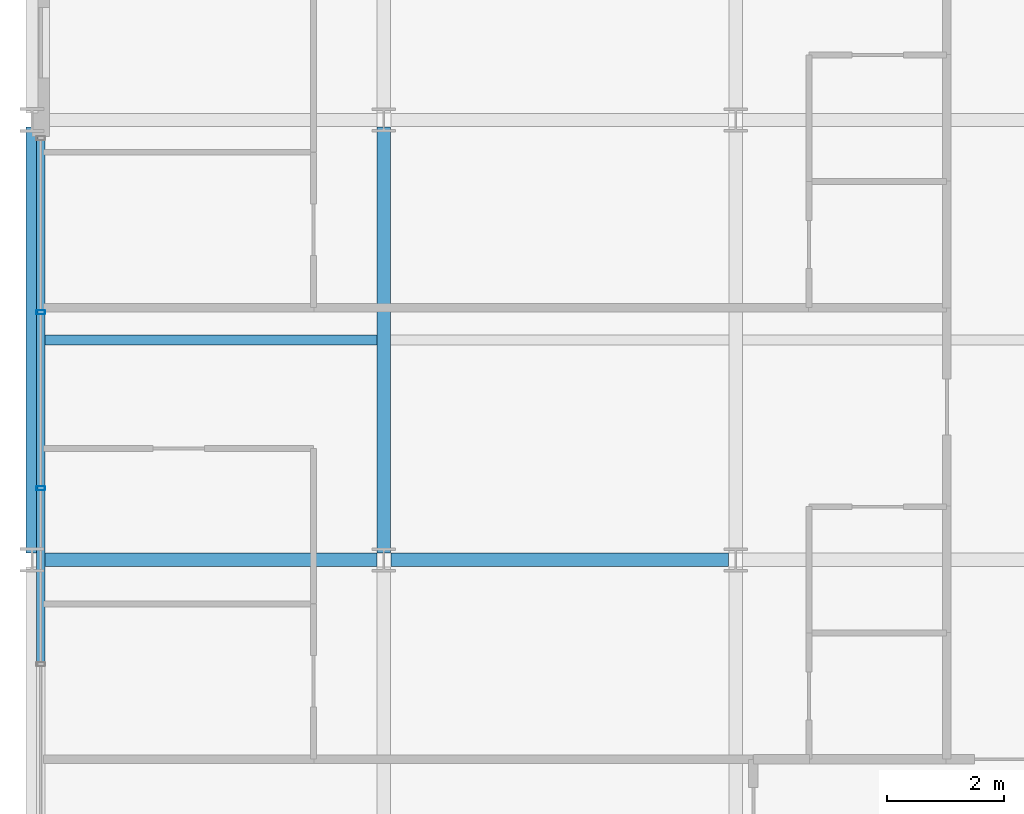
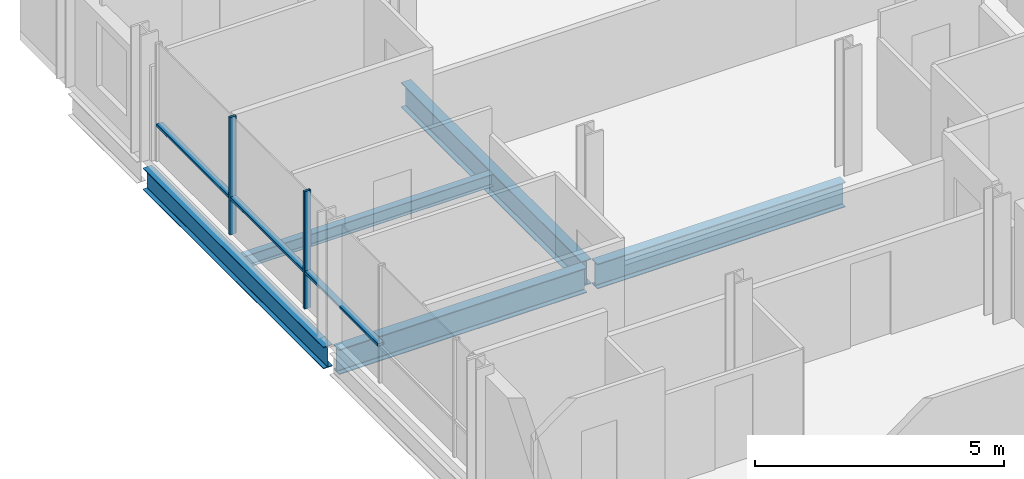
# One storey, part 7 of 41: 5 beams, 5 members, 1 element without a shape of its own.
"""IFC4 building model written with IfcOpenShell, lengths in metres."""

from ifc_helpers import new_model, si_unit, direction, frame, origin, origin_2d, place, context, subcontext, project, spatial, hollow_rectangle, i_section, extrude, material, layer, layer_set, material_profile, profile_set, type_object, element, aggregate, save


model = new_model("IFC4")

# Units and contexts
model_context = context("Model", 3, precision=1e-05, world=origin(), true_north=direction((0.0, 1.0)))
body_context = subcontext(model_context, "Body", "Model", "MODEL_VIEW")
ifc_project = project(units=[si_unit("LENGTHUNIT", "METRE"), si_unit("AREAUNIT", "SQUARE_METRE"), si_unit("VOLUMEUNIT", "CUBIC_METRE"), si_unit("PLANEANGLEUNIT", "RADIAN"), si_unit("MASSUNIT", "GRAM", prefix="KILO")], contexts=[model_context])

# Site, building, storey
site_placement = place(None, origin())
site = spatial("IfcSite", under=ifc_project, at=site_placement, CompositionType="ELEMENT")
building_placement = place(site_placement, origin())
building = spatial("IfcBuilding", under=site, at=building_placement, Name="Brevholm Reach", CompositionType="ELEMENT")
storey_placement = place(building_placement, frame((0.0, 0.0, 144.89990234375)))
storey = spatial("IfcBuildingStorey", under=building, at=storey_placement, Name="L43", CompositionType="ELEMENT", Elevation=144.89990234375)

# Beams
ifc_material_1 = material(Name="Structural Steel S355J2", Category="steel")
ifc_material_profile_1 = material_profile(ifc_material_1, i_section(OverallWidth=0.1650390625, OverallDepth=0.303466796875, WebThickness=0.006103515625, FlangeThickness=0.01025390625, FilletRadius=0.0087890625, at=origin_2d()), Name="UKB 305x165x40")
ifc_profile_set_1 = profile_set([ifc_material_profile_1], Name="Structural Steel S355J2")
beam_type_1 = type_object("IfcBeamType", Name="BM-B305", PredefinedType="BEAM", material=ifc_profile_set_1)
beam_1_placement = place(storey_placement, frame((0.104736328125, 19.75, -0.37158203125), z_axis=(1.0, 0.0, 0.0), x_axis=(0.0, 1.0, 0.0)))
element("IfcBeam", 1, at=beam_1_placement, inside=storey, type_object=beam_type_1, Name="L43 Composite Secondary Floor Beam", PredefinedType="BEAM", context=body_context, shape_type="SweptSolid", body=[
    extrude(i_section(OverallWidth=0.1650390625, OverallDepth=0.303466796875, WebThickness=0.006103515625, FlangeThickness=0.01025390625, FilletRadius=0.0087890625, at=origin_2d()), origin(), (0.0, 0.0, 1.0), 5.78076171875),
])
ifc_material_2 = material(Name="Structural Steel S355J2", Category="steel")
ifc_material_profile_2 = material_profile(ifc_material_2, i_section(OverallWidth=0.209228515625, OverallDepth=0.533203125, WebThickness=0.010009765625, FlangeThickness=0.015625, FilletRadius=0.0126953125, at=origin_2d()), Name="UKB 533x210x92")
ifc_profile_set_2 = profile_set([ifc_material_profile_2], Name="Structural Steel S355J2")
beam_type_2 = type_object("IfcBeamType", Name="BM-SP533", PredefinedType="SPANDREL", material=ifc_profile_set_2)
beam_2_placement = place(storey_placement, frame((0.0, 16.1201171875, -0.486572265625), z_axis=(0.0, 1.0, 0.0), x_axis=(-1.0, 0.0, 0.0)))
element("IfcBeam", 2, at=beam_2_placement, inside=storey, type_object=beam_type_2, Name="L43 SP-02 Framing Beam", PredefinedType="SPANDREL", context=body_context, shape_type="SweptSolid", body=[
    extrude(i_section(OverallWidth=0.209228515625, OverallDepth=0.533203125, WebThickness=0.010009765625, FlangeThickness=0.015625, FilletRadius=0.0126953125, at=origin_2d()), origin(), (0.0, 0.0, 1.0), 7.259765625),
])
ifc_material_3 = material(Name="Structural Steel S355J2", Category="steel")
ifc_material_profile_3 = material_profile(ifc_material_3, i_section(OverallWidth=0.22900390625, OverallDepth=0.6123046875, WebThickness=0.011962890625, FlangeThickness=0.01953125, FilletRadius=0.0126953125, at=origin_2d()), Name="UKB 610x229x125")
ifc_profile_set_3 = profile_set([ifc_material_profile_3], Name="Structural Steel S355J2")
beam_type_3 = type_object("IfcBeamType", Name="BM-SP610", PredefinedType="SPANDREL", material=ifc_profile_set_3)
for number, where, z_axis, x_axis, name in (
    (3, (0.1201171875, 16.0, -0.526123046875), (1.0, 0.0, 0.0), (0.0, 1.0, 0.0), "L43 SP-01 Framing Beam"),
    (4, (6.1201171875, 16.0, -0.526123046875), (1.0, 0.0, 0.0), (0.0, 1.0, 0.0), "L43 SP-01 Framing Beam"),
):
    element("IfcBeam", number, at=place(storey_placement, frame(where, z_axis=z_axis, x_axis=x_axis)), inside=storey, type_object=beam_type_3, Name=name, PredefinedType="SPANDREL", context=body_context, shape_type="SweptSolid", body=[
        extrude(i_section(OverallWidth=0.22900390625, OverallDepth=0.6123046875, WebThickness=0.011962890625, FlangeThickness=0.01953125, FilletRadius=0.0126953125, at=origin_2d()), origin(), (0.0, 0.0, 1.0), 5.759765625),
    ])
beam_3_placement = place(storey_placement, frame((6.0, 16.1201171875, -0.526123046875), z_axis=(0.0, 1.0, 0.0), x_axis=(-1.0, 0.0, 0.0)))
element("IfcBeam", 5, at=beam_3_placement, inside=storey, type_object=beam_type_3, Name="L43 SP-01 Framing Beam", PredefinedType="SPANDREL", context=body_context, shape_type="SweptSolid", body=[
    extrude(i_section(OverallWidth=0.22900390625, OverallDepth=0.6123046875, WebThickness=0.011962890625, FlangeThickness=0.01953125, FilletRadius=0.0126953125, at=origin_2d()), origin(), (0.0, 0.0, 1.0), 7.259765625),
])

# Curtain wall, members
ifc_material_4 = material(Name="Dark Anodised Aluminium 6063-T6 and Solar-Control Glass", Category="aluminium")
ifc_layer = layer(ifc_material_4, 0.14990234375)
ifc_layer_set = layer_set([ifc_layer], Name="Dark Anodised Aluminium 6063-T6 and Solar-Control Glass")
curtain_wall_type = type_object("IfcCurtainWallType", Name="CW-01", PredefinedType="NOTDEFINED", material=ifc_layer_set)
curtain_wall_placement = place(storey_placement, origin())
curtain_wall = element("IfcCurtainWall", 6, at=curtain_wall_placement, inside=storey, type_object=curtain_wall_type, Name="L43 Curtain Wall CW-01", PredefinedType="NOTDEFINED")
ifc_material_5 = material(Name="Dark Anodised Aluminium 6063-T6", Category="aluminium")
ifc_material_profile_4 = material_profile(ifc_material_5, hollow_rectangle(XDim=0.06494140625, YDim=0.14990234375, WallThickness=0.0048828125, InnerFilletRadius=0.0048828125, OuterFilletRadius=0.010009765625, at=origin_2d()), Name="RHS 150x65x5")
ifc_profile_set_4 = profile_set([ifc_material_profile_4], Name="Dark Anodised Aluminium 6063-T6")
member_type_1 = type_object("IfcMemberType", Name="CWM-150", PredefinedType="MULLION", material=ifc_profile_set_4)
member_1_placement = place(storey_placement, frame((0.14990234375, 20.219970703125, 0.0), z_axis=(0.0, 0.0, 1.0), x_axis=(0.0, -1.0, 0.0)))
member_1 = element("IfcMember", 7, at=member_1_placement, type_object=member_type_1, Name="CM-150 Mullion 2", PredefinedType="MULLION", context=body_context, shape_type="SweptSolid", body=[
    extrude(hollow_rectangle(XDim=0.06494140625, YDim=0.14990234375, WallThickness=0.0048828125, InnerFilletRadius=0.0048828125, OuterFilletRadius=0.010009765625, at=origin_2d()), origin(), (0.0, 0.0, 1.0), 2.880126953125),
])
member_2_placement = place(storey_placement, frame((0.14990234375, 17.219970703125, 0.0), z_axis=(0.0, 0.0, 1.0), x_axis=(0.0, -1.0, 0.0)))
member_2 = element("IfcMember", 8, at=member_2_placement, type_object=member_type_1, Name="CM-150 Mullion 3", PredefinedType="MULLION", context=body_context, shape_type="SweptSolid", body=[
    extrude(hollow_rectangle(XDim=0.06494140625, YDim=0.14990234375, WallThickness=0.0048828125, InnerFilletRadius=0.0048828125, OuterFilletRadius=0.010009765625, at=origin_2d()), origin(), (0.0, 0.0, 1.0), 2.880126953125),
])
ifc_material_6 = material(Name="Dark Anodised Aluminium 6063-T6", Category="aluminium")
ifc_material_profile_5 = material_profile(ifc_material_6, hollow_rectangle(XDim=0.06494140625, YDim=0.14990234375, WallThickness=0.0048828125, InnerFilletRadius=0.0048828125, OuterFilletRadius=0.010009765625, at=origin_2d()), Name="RHS 150x65x5")
ifc_profile_set_5 = profile_set([ifc_material_profile_5], Name="Dark Anodised Aluminium 6063-T6")
member_type_2 = type_object("IfcMemberType", Name="CWT-150", PredefinedType="NOTDEFINED", material=ifc_profile_set_5)
member_3_placement = place(storey_placement, frame((0.14990234375, 23.155029296875, 0.900146484375), z_axis=(0.0, -1.0, 0.0), x_axis=(0.0, 0.0, 1.0)))
member_3 = element("IfcMember", 9, at=member_3_placement, type_object=member_type_2, Name="CT-150 Transom 1.1", ObjectType="TRANSOM", PredefinedType="USERDEFINED", context=body_context, shape_type="SweptSolid", body=[
    extrude(hollow_rectangle(XDim=0.06494140625, YDim=0.14990234375, WallThickness=0.0048828125, InnerFilletRadius=0.0048828125, OuterFilletRadius=0.010009765625, at=origin_2d()), origin(), (0.0, 0.0, 1.0), 2.902587890625),
])
member_4_placement = place(storey_placement, frame((0.14990234375, 20.1875, 0.900146484375), z_axis=(0.0, -1.0, 0.0), x_axis=(0.0, 0.0, 1.0)))
member_4 = element("IfcMember", 10, at=member_4_placement, type_object=member_type_2, Name="CT-150 Transom 2.1", ObjectType="TRANSOM", PredefinedType="USERDEFINED", context=body_context, shape_type="SweptSolid", body=[
    extrude(hollow_rectangle(XDim=0.06494140625, YDim=0.14990234375, WallThickness=0.0048828125, InnerFilletRadius=0.0048828125, OuterFilletRadius=0.010009765625, at=origin_2d()), origin(), (0.0, 0.0, 1.0), 2.93505859375),
])
member_5_placement = place(storey_placement, frame((0.14990234375, 17.1875, 0.900146484375), z_axis=(0.0, -1.0, 0.0), x_axis=(0.0, 0.0, 1.0)))
member_5 = element("IfcMember", 11, at=member_5_placement, type_object=member_type_2, Name="CT-150 Transom 3.1", ObjectType="TRANSOM", PredefinedType="USERDEFINED", context=body_context, shape_type="SweptSolid", body=[
    extrude(hollow_rectangle(XDim=0.06494140625, YDim=0.14990234375, WallThickness=0.0048828125, InnerFilletRadius=0.0048828125, OuterFilletRadius=0.010009765625, at=origin_2d()), origin(), (0.0, 0.0, 1.0), 2.93505859375),
])
aggregate(curtain_wall, [member_1, member_2, member_3, member_4, member_5])

save(model, "model.ifc")
